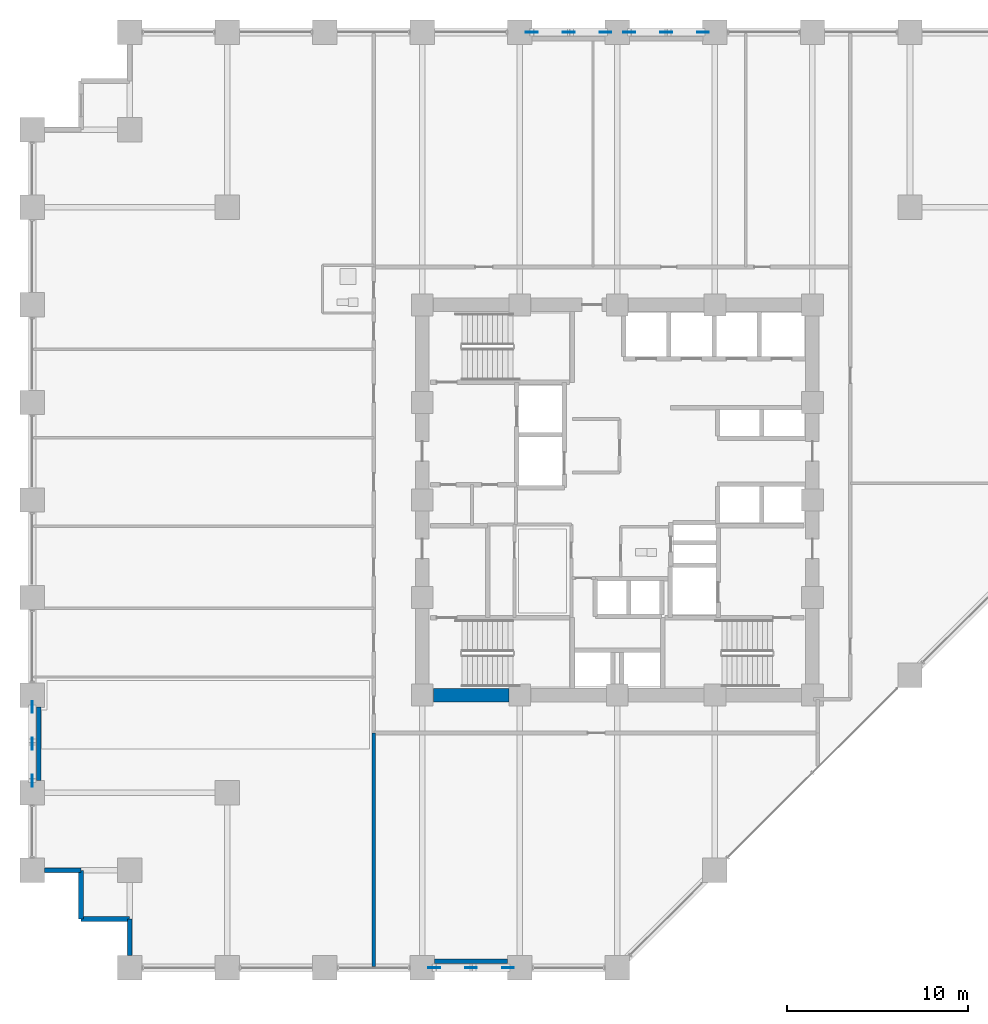
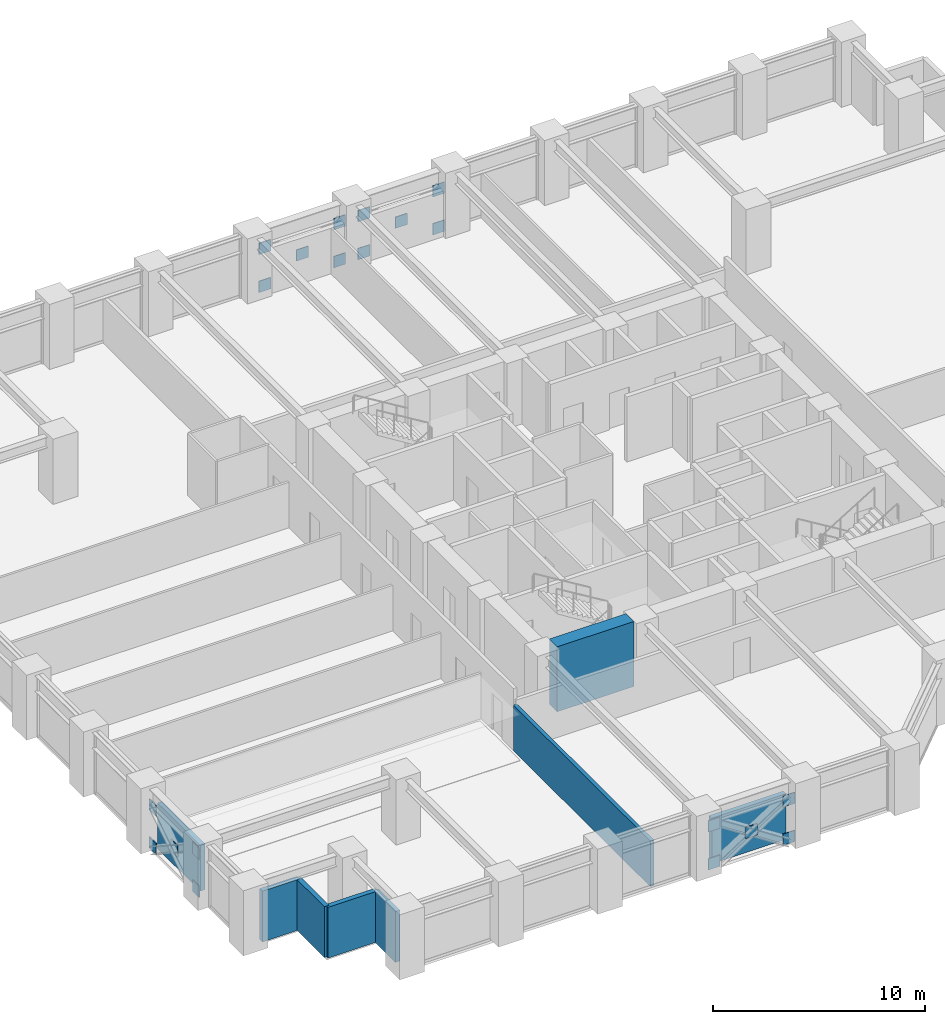
# One storey, part 19 of 25: 20 plates, 8 walls.
"""IFC4 building model written with IfcOpenShell, lengths in metres."""

from ifc_helpers import new_model, si_unit, direction, frame, frame_2d, origin, origin_2d, place, context, subcontext, project, spatial, rectangle, extrude, material, layer, layer_set, type_object, element, save


model = new_model("IFC4")

# Units and contexts
model_context = context("Model", 3, precision=1e-05, world=origin(), true_north=direction((0.0, 1.0)))
body_context = subcontext(model_context, "Body", "Model", "MODEL_VIEW")
ifc_project = project(units=[si_unit("LENGTHUNIT", "METRE"), si_unit("AREAUNIT", "SQUARE_METRE"), si_unit("VOLUMEUNIT", "CUBIC_METRE"), si_unit("PLANEANGLEUNIT", "RADIAN"), si_unit("MASSUNIT", "GRAM", prefix="KILO")], contexts=[model_context])

# Site, building, storey
site_placement = place(None, origin())
site = spatial("IfcSite", under=ifc_project, at=site_placement, CompositionType="ELEMENT")
building_placement = place(site_placement, origin())
building = spatial("IfcBuilding", under=site, at=building_placement, Name="Surkhivell Harbour Commons", CompositionType="ELEMENT")
storey_placement = place(building_placement, frame((0.0, 0.0, 33.75)))
storey = spatial("IfcBuildingStorey", under=building, at=storey_placement, Name="L08", CompositionType="ELEMENT", Elevation=33.75)

# Plates
ifc_material_1 = material(Name="Steel S460", Category="steel")
ifc_layer_1 = layer(ifc_material_1, 0.044921875)
ifc_layer_set_1 = layer_set([ifc_layer_1], Name="Steel S460")
plate_type = type_object("IfcPlateType", Name="PLT-GUS-650", PredefinedType="USERDEFINED", material=ifc_layer_set_1)
for number, where, z_axis, x_axis, name in (
    (1, (-4.739990234375, 25.89990234375, -0.08935546875), (0.0, 0.0, 1.0), (1.0, 0.0, 0.0), "L08 Perimeter Mega-Brace MB- Corner Gusset N-1"),
    (2, (-0.659912109375, 25.89990234375, -0.08935546875), (0.0, 0.0, 1.0), (1.0, 0.0, 0.0), "L08 Perimeter Mega-Brace MB- Corner Gusset N-2"),
    (3, (-4.739990234375, 25.89990234375, 2.1005859375), (0.0, 0.0, 1.0), (1.0, 0.0, 0.0), "L08 Perimeter Mega-Brace MB- Corner Gusset N-3"),
    (4, (-0.659912109375, 25.89990234375, 2.1005859375), (0.0, 0.0, 1.0), (1.0, 0.0, 0.0), "L08 Perimeter Mega-Brace MB- Corner Gusset N-4"),
    (5, (-2.699951171875, 25.89990234375, 1.005615234375), (0.0, 0.0, 1.0), (1.0, 0.0, 0.0), "L08 Perimeter Mega-Brace MB- Central Crossing Gusset N"),
    (6, (0.659912109375, 25.89990234375, -0.08935546875), (0.0, 0.0, 1.0), (1.0, 0.0, 0.0), "L08 Perimeter Mega-Brace MB- Corner Gusset N2-1"),
    (7, (4.739990234375, 25.89990234375, -0.08935546875), (0.0, 0.0, 1.0), (1.0, 0.0, 0.0), "L08 Perimeter Mega-Brace MB- Corner Gusset N2-2"),
    (8, (0.659912109375, 25.89990234375, 2.1005859375), (0.0, 0.0, 1.0), (1.0, 0.0, 0.0), "L08 Perimeter Mega-Brace MB- Corner Gusset N2-3"),
    (9, (4.739990234375, 25.89990234375, 2.1005859375), (0.0, 0.0, 1.0), (1.0, 0.0, 0.0), "L08 Perimeter Mega-Brace MB- Corner Gusset N2-4"),
    (10, (2.699951171875, 25.89990234375, 1.005615234375), (0.0, 0.0, 1.0), (1.0, 0.0, 0.0), "L08 Perimeter Mega-Brace MB- Central Crossing Gusset N2"),
    (11, (-10.139892578125, -25.89990234375, -0.08935546875), (0.0, 0.0, 1.0), (1.0, 0.0, 0.0), "L08 Perimeter Mega-Brace MB- Corner Gusset S-1"),
    (12, (-6.06005859375, -25.89990234375, -0.08935546875), (0.0, 0.0, 1.0), (1.0, 0.0, 0.0), "L08 Perimeter Mega-Brace MB- Corner Gusset S-2"),
    (13, (-10.139892578125, -25.89990234375, 2.1005859375), (0.0, 0.0, 1.0), (1.0, 0.0, 0.0), "L08 Perimeter Mega-Brace MB- Corner Gusset S-3"),
    (14, (-6.06005859375, -25.89990234375, 2.1005859375), (0.0, 0.0, 1.0), (1.0, 0.0, 0.0), "L08 Perimeter Mega-Brace MB- Corner Gusset S-4"),
    (15, (-8.10009765625, -25.89990234375, 1.005615234375), (0.0, 0.0, 1.0), (1.0, 0.0, 0.0), "L08 Perimeter Mega-Brace MB- Central Crossing Gusset S"),
    (16, (-32.39990234375, -15.5400390625, -0.08935546875), (0.0, 0.0, 1.0), (0.0, 1.0, 0.0), "L08 Perimeter Mega-Brace MB- Corner Gusset W-1"),
    (17, (-32.39990234375, -11.4599609375, -0.08935546875), (0.0, 0.0, 1.0), (0.0, 1.0, 0.0), "L08 Perimeter Mega-Brace MB- Corner Gusset W-2"),
    (18, (-32.39990234375, -15.5400390625, 2.1005859375), (0.0, 0.0, 1.0), (0.0, 1.0, 0.0), "L08 Perimeter Mega-Brace MB- Corner Gusset W-3"),
    (19, (-32.39990234375, -11.4599609375, 2.1005859375), (0.0, 0.0, 1.0), (0.0, 1.0, 0.0), "L08 Perimeter Mega-Brace MB- Corner Gusset W-4"),
    (20, (-32.39990234375, -13.5, 1.005615234375), (0.0, 0.0, 1.0), (0.0, 1.0, 0.0), "L08 Perimeter Mega-Brace MB- Central Crossing Gusset W"),
):
    element("IfcPlate", number, at=place(storey_placement, frame(where, z_axis=z_axis, x_axis=x_axis)), inside=storey, type_object=plate_type, Name=name, ObjectType="GUSSET_PLATE", PredefinedType="USERDEFINED", context=body_context, shape_type="SweptSolid", body=[
        extrude(rectangle(XDim=0.64990234375, YDim=0.044921875, at=origin_2d()), origin(), (0.0, 0.0, 1.0), 0.64990234375),
    ])

# Walls
ifc_material_2 = material(Name="Concrete C60/75", Category="concrete")
ifc_layer_2 = layer(ifc_material_2, 0.75)
ifc_layer_set_2 = layer_set([ifc_layer_2], Name="Concrete C60/75")
wall_type_1 = type_object("IfcWallType", Name="WAL-CORE-750", PredefinedType="SHEAR", material=ifc_layer_set_2)
wall_1_placement = place(storey_placement, frame((-10.18994140625, -10.800048828125, 0.0), z_axis=(0.0, 0.0, 1.0), x_axis=(1.0, 0.0, 0.0)))
element("IfcWall", 21, at=wall_1_placement, inside=storey, type_object=wall_type_1, Name="L08 Core Shear Wall South 1", PredefinedType="SHEAR", context=body_context, shape_type="SweptSolid", body=[
    extrude(rectangle(XDim=4.179931640625, YDim=0.75, at=frame_2d((2.08984375, 0.0))), origin(), (0.0, 0.0, 1.0), 3.75),
])
ifc_material_3 = material(Name="Pale-metal insulated precast concrete C45/55", Category="concrete")
ifc_layer_3 = layer(ifc_material_3, 0.260009765625)
ifc_layer_set_3 = layer_set([ifc_layer_3], Name="Pale-metal insulated precast concrete C45/55")
wall_type_2 = type_object("IfcWallType", Name="WAL-EXT-MTL260", PredefinedType="STANDARD", material=ifc_layer_set_3)
wall_2_placement = place(storey_placement, frame((-10.126953125, -25.5400390625, 0.0), z_axis=(0.0, 0.0, 1.0), x_axis=(1.0, 0.0, 0.0)))
element("IfcWall", 22, at=wall_2_placement, inside=storey, type_object=wall_type_2, Name="L08 Braced-Bay Insulated Spandrel Backing S", PredefinedType="STANDARD", context=body_context, shape_type="SweptSolid", body=[
    extrude(rectangle(XDim=4.053955078125, YDim=0.260009765625, at=frame_2d((2.02685546875, 0.0))), origin(), (0.0, 0.0, 1.0), 2.62890625),
])
wall_3_placement = place(storey_placement, frame((-32.0400390625, -11.472900390625, 0.0), z_axis=(0.0, 0.0, 1.0), x_axis=(0.0, -1.0, 0.0)))
element("IfcWall", 23, at=wall_3_placement, inside=storey, type_object=wall_type_2, Name="L08 Braced-Bay Insulated Spandrel Backing W", PredefinedType="STANDARD", context=body_context, shape_type="SweptSolid", body=[
    extrude(rectangle(XDim=4.05419921875, YDim=0.260009765625, at=frame_2d((2.027099609375, 0.0))), origin(), (0.0, 0.0, 1.0), 2.62890625),
])
wall_4_placement = place(storey_placement, frame((-31.72705078125, -20.5, 0.0), z_axis=(0.0, 0.0, 1.0), x_axis=(1.0, 0.0, 0.0)))
element("IfcWall", 24, at=wall_4_placement, inside=storey, type_object=wall_type_2, Name="L08 Serrated Corner Facade Wall 13", PredefinedType="STANDARD", context=body_context, shape_type="SweptSolid", body=[
    extrude(rectangle(XDim=2.027099609375, YDim=0.260009765625, at=frame_2d((1.013671875, 0.0))), origin(), (0.0, 0.0, 1.0), 2.929931640625),
])
for number, where, z_axis, x_axis, name in (
    (25, (-29.699951171875, -20.5, 0.0), (0.0, 0.0, 1.0), (0.0, -1.0, 0.0), "L08 Serrated Corner Facade Wall 14"),
    (26, (-29.699951171875, -23.199951171875, 0.0), (0.0, 0.0, 1.0), (1.0, 0.0, 0.0), "L08 Serrated Corner Facade Wall 15"),
):
    element("IfcWall", number, at=place(storey_placement, frame(where, z_axis=z_axis, x_axis=x_axis)), inside=storey, type_object=wall_type_2, Name=name, PredefinedType="STANDARD", context=body_context, shape_type="SweptSolid", body=[
        extrude(rectangle(XDim=2.699951171875, YDim=0.260009765625, at=frame_2d((1.35009765625, 0.0))), origin(), (0.0, 0.0, 1.0), 2.929931640625),
    ])
wall_5_placement = place(storey_placement, frame((-27.0, -23.199951171875, 0.0), z_axis=(0.0, 0.0, 1.0), x_axis=(0.0, -1.0, 0.0)))
element("IfcWall", 27, at=wall_5_placement, inside=storey, type_object=wall_type_2, Name="L08 Serrated Corner Facade Wall 16", PredefinedType="STANDARD", context=body_context, shape_type="SweptSolid", body=[
    extrude(rectangle(XDim=2.027099609375, YDim=0.260009765625, at=frame_2d((1.013671875, 0.0))), origin(), (0.0, 0.0, 1.0), 2.929931640625),
])
ifc_material_4 = material(Name="Autoclaved aerated concrete blockwork and fire plaster", Category="masonry")
ifc_layer_4 = layer(ifc_material_4, 0.199951171875)
ifc_layer_set_4 = layer_set([ifc_layer_4], Name="Autoclaved aerated concrete blockwork and fire plaster")
wall_type_3 = type_object("IfcWallType", Name="WAL-INT-200", PredefinedType="PARTITIONING", material=ifc_layer_set_4)
wall_6_placement = place(storey_placement, frame((-13.47998046875, -25.840087890625, 0.0), z_axis=(0.0, 0.0, 1.0), x_axis=(0.0, 1.0, 0.0)))
element("IfcWall", 28, at=wall_6_placement, inside=storey, type_object=wall_type_3, Name="L08 South-West Wing Corner Divider", PredefinedType="PARTITIONING", context=body_context, shape_type="SweptSolid", body=[
    extrude(rectangle(XDim=12.940185546875, YDim=0.199951171875, at=frame_2d((6.47021484375, 0.0))), origin(), (0.0, 0.0, 1.0), 2.62890625),
])

save(model, "model.ifc")
